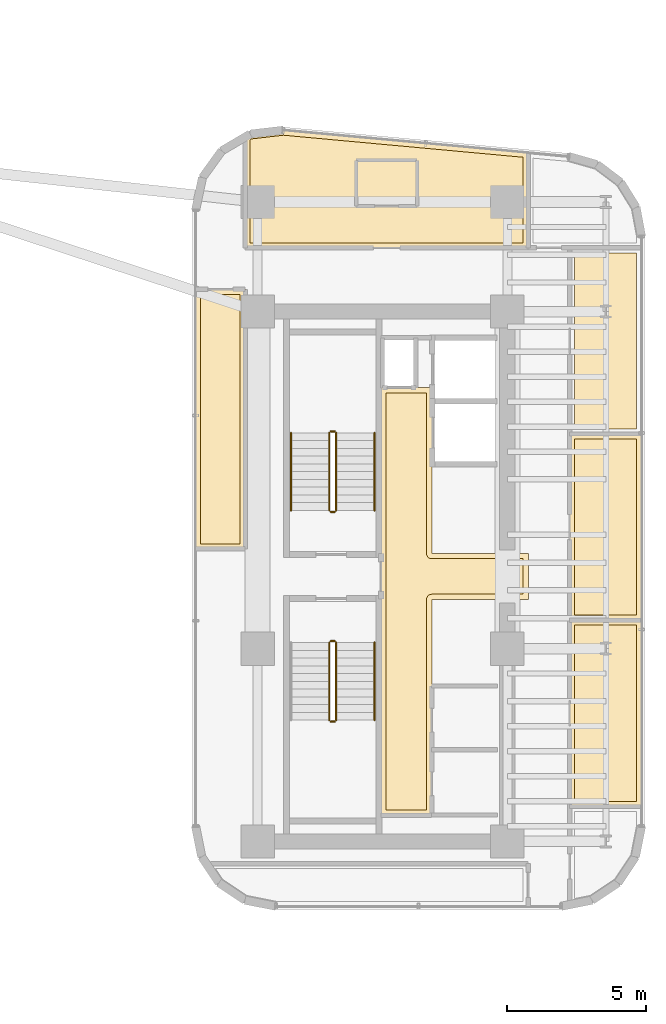
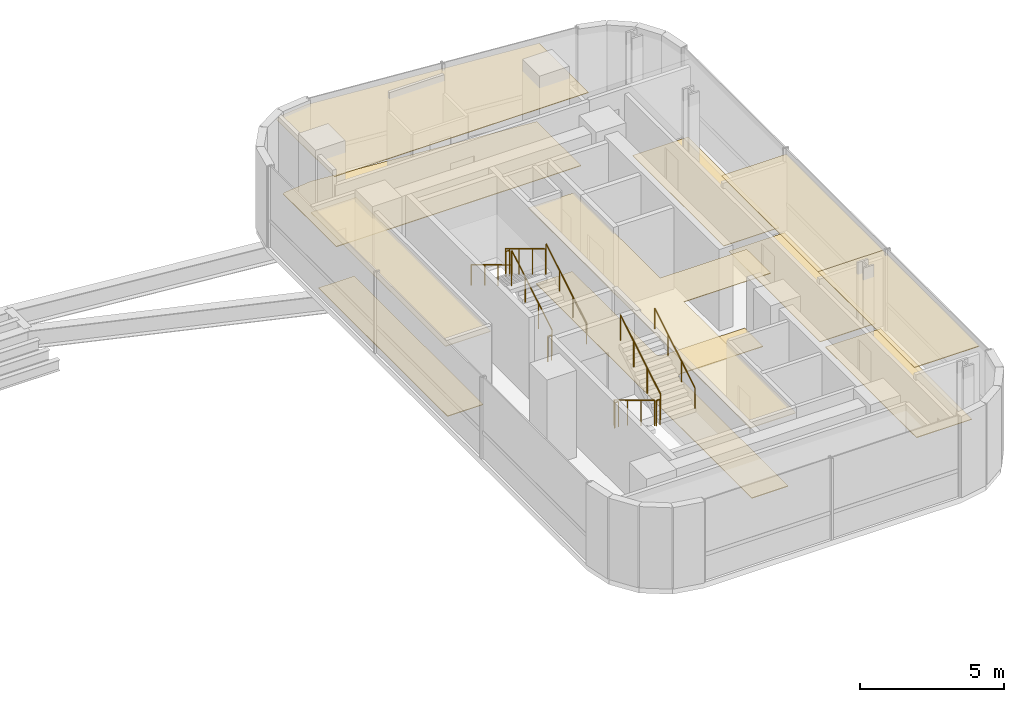
# One storey, part 35 of 36: 11 coverings, 11 railings.
"""IFC4 building model written with IfcOpenShell, lengths in metres."""

from ifc_helpers import new_model, si_unit, direction, frame, origin, origin_2d, place, context, subcontext, project, spatial, polyline, circle, outline, extrude, material, layer, layer_set, type_object, element, save


model = new_model("IFC4")

# Units and contexts
model_context = context("Model", 3, precision=1e-05, world=origin(), true_north=direction((0.0, 1.0)))
body_context = subcontext(model_context, "Body", "Model", "MODEL_VIEW")
ifc_project = project(units=[si_unit("LENGTHUNIT", "METRE"), si_unit("AREAUNIT", "SQUARE_METRE"), si_unit("VOLUMEUNIT", "CUBIC_METRE"), si_unit("PLANEANGLEUNIT", "RADIAN"), si_unit("MASSUNIT", "GRAM", prefix="KILO")], contexts=[model_context])

# Site, building, storey
site_placement = place(None, origin())
site = spatial("IfcSite", under=ifc_project, at=site_placement, CompositionType="ELEMENT")
building_placement = place(site_placement, origin())
building = spatial("IfcBuilding", under=site, at=building_placement, Name="Valdorenza Pilgrim Sanctuary Tower", CompositionType="ELEMENT")
storey_placement = place(building_placement, frame((0.0, 0.0, 153.800048828125)))
storey = spatial("IfcBuildingStorey", under=building, at=storey_placement, Name="L39", CompositionType="ELEMENT", Elevation=153.800048828125)

# Coverings
ifc_material_1 = material(Name="Micro-perforated acoustic mineral ceiling tile", Category="gypsum")
ifc_layer_1 = layer(ifc_material_1, 0.02490234375, Name="Micro-perforated acoustic mineral ceiling tile")
ifc_layer_set_1 = layer_set([ifc_layer_1], Name="Micro-perforated acoustic mineral ceiling tile")
covering_type_1 = type_object("IfcCoveringType", Name="COV-CLG-ACU", PredefinedType="CEILING", material=ifc_layer_set_1)
covering_1_placement = place(storey_placement, frame((0.0, 0.0, 3.159912109375)))
element("IfcCovering", 1, at=covering_1_placement, inside=storey, type_object=covering_type_1, Name="L39 Core B Passenger Lift Lobby Acoustic Ceiling", PredefinedType="CEILING", context=body_context, shape_type="SweptSolid", body=[
    extrude(outline(polyline([(20.287109375, -0.814697265625), (20.287109375, 0.814697265625), (20.28662109375, 0.815185546875), (20.2861328125, 0.81640625), (20.28564453125, 0.81787109375), (20.285400390625, 0.819091796875), (20.28515625, 0.820556640625), (20.284912109375, 0.822021484375), (20.284912109375, 6.800048828125), (20.28515625, 6.801513671875), (20.285400390625, 6.802978515625), (20.28564453125, 6.804443359375), (20.2861328125, 6.8056640625), (20.286865234375, 6.80712890625), (20.28759765625, 6.808349609375), (20.288330078125, 6.8095703125), (20.289306640625, 6.810546875), (20.29052734375, 6.8115234375), (20.291748046875, 6.8125), (20.29296875, 6.813232421875), (20.294189453125, 6.81396484375), (20.295654296875, 6.814453125), (20.297119140625, 6.814697265625), (20.298583984375, 6.81494140625), (20.300048828125, 6.81494140625), (20.347900390625, 6.81494140625), (20.349365234375, 6.81494140625), (20.350830078125, 6.814697265625), (20.352294921875, 6.814453125), (20.353515625, 6.81396484375), (20.35498046875, 6.813232421875), (20.35546875, 6.81298828125), (21.544677734375, 6.81298828125), (21.545166015625, 6.813232421875), (21.54638671875, 6.81396484375), (21.5478515625, 6.814453125), (21.54931640625, 6.814697265625), (21.550537109375, 6.81494140625), (21.552001953125, 6.81494140625), (22.1201171875, 6.81494140625), (22.12158203125, 6.81494140625), (22.122802734375, 6.814697265625), (22.12451171875, 6.814453125), (22.125732421875, 6.81396484375), (22.127197265625, 6.813232421875), (22.12841796875, 6.8125), (22.12939453125, 6.8115234375), (22.130615234375, 6.810546875), (22.131591796875, 6.8095703125), (22.132568359375, 6.808349609375), (22.13330078125, 6.80712890625), (22.1337890625, 6.8056640625), (22.134521484375, 6.804443359375), (22.134765625, 6.802978515625), (22.135009765625, 6.801513671875), (22.135009765625, 6.800048828125), (22.135009765625, 0.8349609375), (25.60009765625, 0.8349609375), (25.6015625, 0.8349609375), (25.602783203125, 0.834716796875), (25.6044921875, 0.83447265625), (25.605712890625, 0.833984375), (25.607177734375, 0.833251953125), (25.6083984375, 0.83251953125), (25.609619140625, 0.83154296875), (25.610595703125, 0.83056640625), (25.611572265625, 0.82958984375), (25.612548828125, 0.828369140625), (25.61328125, 0.8271484375), (25.614013671875, 0.82568359375), (25.614501953125, 0.824462890625), (25.61474609375, 0.822998046875), (25.614990234375, 0.821533203125), (25.614990234375, 0.820068359375), (25.614990234375, -0.820068359375), (25.614990234375, -0.821533203125), (25.61474609375, -0.822998046875), (25.614501953125, -0.824462890625), (25.614013671875, -0.82568359375), (25.61328125, -0.8271484375), (25.612548828125, -0.828369140625), (25.611572265625, -0.82958984375), (25.610595703125, -0.83056640625), (25.609619140625, -0.83154296875), (25.6083984375, -0.83251953125), (25.607177734375, -0.833251953125), (25.605712890625, -0.833984375), (25.6044921875, -0.83447265625), (25.602783203125, -0.834716796875), (25.6015625, -0.8349609375), (25.60009765625, -0.8349609375), (22.135009765625, -0.8349609375), (22.135009765625, -8.60009765625), (22.135009765625, -8.6015625), (22.134765625, -8.602783203125), (22.134521484375, -8.6044921875), (22.1337890625, -8.605712890625), (22.13330078125, -8.607177734375), (22.132568359375, -8.6083984375), (22.131591796875, -8.609619140625), (22.130615234375, -8.610595703125), (22.12939453125, -8.611572265625), (22.12841796875, -8.612548828125), (22.127197265625, -8.61328125), (22.125732421875, -8.614013671875), (22.12451171875, -8.614501953125), (22.122802734375, -8.61474609375), (22.12158203125, -8.614990234375), (22.1201171875, -8.614990234375), (20.300048828125, -8.614990234375), (20.298583984375, -8.614990234375), (20.297119140625, -8.61474609375), (20.295654296875, -8.614501953125), (20.294189453125, -8.614013671875), (20.29296875, -8.61328125), (20.291748046875, -8.612548828125), (20.29052734375, -8.611572265625), (20.289306640625, -8.610595703125), (20.288330078125, -8.609619140625), (20.28759765625, -8.6083984375), (20.286865234375, -8.607177734375), (20.2861328125, -8.605712890625), (20.28564453125, -8.6044921875), (20.285400390625, -8.602783203125), (20.28515625, -8.6015625), (20.284912109375, -8.60009765625), (20.284912109375, -0.822021484375), (20.28515625, -0.820556640625), (20.285400390625, -0.819091796875), (20.28564453125, -0.81787109375), (20.2861328125, -0.81640625), (20.28662109375, -0.815185546875), (20.287109375, -0.814697265625)])), origin(), (0.0, 0.0, 1.0), 0.025146484375),
])
covering_2_placement = place(storey_placement, frame((0.0, 0.0, 3.159912109375)))
element("IfcCovering", 2, at=covering_2_placement, inside=storey, type_object=covering_type_1, Name="L39 East North Guest Room L39-EN1 Acoustic Ceiling", PredefinedType="CEILING", context=body_context, shape_type="SweptSolid", body=[
    extrude(outline(polyline([(15.573486328125, 15.961669921875), (15.574951171875, 15.96240234375), (15.576416015625, 15.962890625), (15.577880859375, 15.96337890625), (15.579345703125, 15.963623046875), (16.7744140625, 16.102783203125), (16.776123046875, 16.10302734375), (16.7763671875, 16.10302734375), (16.777587890625, 16.102783203125), (25.601318359375, 15.291015625), (25.602783203125, 15.290771484375), (25.604248046875, 15.290283203125), (25.605712890625, 15.289794921875), (25.60693359375, 15.289306640625), (25.6083984375, 15.28857421875), (25.609619140625, 15.28759765625), (25.610595703125, 15.28662109375), (25.611572265625, 15.28564453125), (25.612548828125, 15.284423828125), (25.61328125, 15.283203125), (25.61376953125, 15.28173828125), (25.6142578125, 15.280517578125), (25.61474609375, 15.279052734375), (25.614990234375, 15.277587890625), (25.614990234375, 15.276123046875), (25.614990234375, 11.85009765625), (25.614990234375, 11.848388671875), (25.61474609375, 11.84716796875), (25.614501953125, 11.845703125), (25.614013671875, 11.84423828125), (25.61328125, 11.843017578125), (25.612548828125, 11.841796875), (25.611572265625, 11.840576171875), (25.610595703125, 11.83935546875), (25.609619140625, 11.83837890625), (25.6083984375, 11.83740234375), (25.607177734375, 11.8369140625), (25.605712890625, 11.836181640625), (25.6044921875, 11.835693359375), (25.602783203125, 11.835205078125), (25.6015625, 11.835205078125), (25.60009765625, 11.8349609375), (15.39990234375, 11.8349609375), (15.3984375, 11.835205078125), (15.397216796875, 11.835205078125), (15.3955078125, 11.835693359375), (15.394287109375, 11.836181640625), (15.392822265625, 11.8369140625), (15.3916015625, 11.83740234375), (15.390380859375, 11.83837890625), (15.389404296875, 11.83935546875), (15.388427734375, 11.840576171875), (15.387451171875, 11.841796875), (15.38671875, 11.843017578125), (15.385986328125, 11.84423828125), (15.385498046875, 11.845703125), (15.38525390625, 11.84716796875), (15.385009765625, 11.848388671875), (15.385009765625, 11.85009765625), (15.385009765625, 15.84228515625), (15.385009765625, 15.843505859375), (15.38525390625, 15.844970703125), (15.385498046875, 15.846435546875), (15.385986328125, 15.84765625), (15.38671875, 15.84912109375), (15.38720703125, 15.850341796875), (15.38818359375, 15.851318359375), (15.38916015625, 15.8525390625), (15.39013671875, 15.853515625), (15.39111328125, 15.8544921875), (15.392333984375, 15.85498046875), (15.573486328125, 15.961669921875)])), origin(), (0.0, 0.0, 1.0), 0.025146484375),
])
covering_3_placement = place(storey_placement, frame((0.0, 0.0, 3.159912109375)))
element("IfcCovering", 3, at=covering_3_placement, inside=storey, type_object=covering_type_1, Name="L39 East Sanctuary Scholar Office L39-EG2 Acoustic Ceiling", PredefinedType="CEILING", context=body_context, shape_type="SweptSolid", body=[
    extrude(outline(polyline([(27.0849609375, -1.574951171875), (27.085205078125, -1.573486328125), (27.085205078125, -1.572021484375), (27.085693359375, -1.570556640625), (27.086181640625, -1.5693359375), (27.0869140625, -1.56787109375), (27.08740234375, -1.566650390625), (27.08837890625, -1.5654296875), (27.08935546875, -1.564453125), (27.090576171875, -1.5634765625), (27.091796875, -1.5625), (27.093017578125, -1.561767578125), (27.09423828125, -1.56103515625), (27.095703125, -1.560546875), (27.09716796875, -1.560302734375), (27.098388671875, -1.56005859375), (27.10009765625, -1.56005859375), (29.68994140625, -1.56005859375), (29.69140625, -1.56005859375), (29.69287109375, -1.560302734375), (29.6943359375, -1.560546875), (29.69580078125, -1.56103515625), (29.697021484375, -1.561767578125), (29.6982421875, -1.5625), (29.699462890625, -1.5634765625), (29.70068359375, -1.564453125), (29.70166015625, -1.5654296875), (29.702392578125, -1.566650390625), (29.703125, -1.56787109375), (29.703857421875, -1.5693359375), (29.704345703125, -1.570556640625), (29.70458984375, -1.572021484375), (29.704833984375, -1.573486328125), (29.705078125, -1.574951171875), (29.705078125, -8.284912109375), (29.704833984375, -8.28662109375), (29.70458984375, -8.287841796875), (29.704345703125, -8.289306640625), (29.703857421875, -8.290771484375), (29.703125, -8.2919921875), (29.702392578125, -8.293212890625), (29.70166015625, -8.29443359375), (29.70068359375, -8.295654296875), (29.699462890625, -8.296630859375), (29.6982421875, -8.297607421875), (29.697021484375, -8.298095703125), (29.69580078125, -8.298828125), (29.6943359375, -8.29931640625), (29.69287109375, -8.2998046875), (29.69140625, -8.2998046875), (29.68994140625, -8.300048828125), (27.10009765625, -8.300048828125), (27.098388671875, -8.2998046875), (27.09716796875, -8.2998046875), (27.095703125, -8.29931640625), (27.09423828125, -8.298828125), (27.093017578125, -8.298095703125), (27.091796875, -8.297607421875), (27.090576171875, -8.296630859375), (27.08935546875, -8.295654296875), (27.08837890625, -8.29443359375), (27.08740234375, -8.293212890625), (27.0869140625, -8.2919921875), (27.086181640625, -8.290771484375), (27.085693359375, -8.289306640625), (27.085205078125, -8.287841796875), (27.085205078125, -8.28662109375), (27.0849609375, -8.284912109375), (27.0849609375, -1.574951171875)])), origin(), (0.0, 0.0, 1.0), 0.025146484375),
])
covering_4_placement = place(storey_placement, frame((0.0, 0.0, 3.159912109375)))
element("IfcCovering", 4, at=covering_4_placement, inside=storey, type_object=covering_type_1, Name="L39 East Sanctuary Scholar Office L39-EG3 Acoustic Ceiling", PredefinedType="CEILING", context=body_context, shape_type="SweptSolid", body=[
    extrude(outline(polyline([(27.0849609375, 5.137939453125), (27.085205078125, 5.139404296875), (27.085205078125, 5.140869140625), (27.085693359375, 5.142333984375), (27.086181640625, 5.143798828125), (27.0869140625, 5.14501953125), (27.08740234375, 5.146240234375), (27.08837890625, 5.1474609375), (27.08935546875, 5.148681640625), (27.090576171875, 5.149658203125), (27.091796875, 5.150390625), (27.093017578125, 5.151123046875), (27.09423828125, 5.15185546875), (27.095703125, 5.15234375), (27.09716796875, 5.152587890625), (27.098388671875, 5.15283203125), (27.10009765625, 5.153076171875), (29.68994140625, 5.153076171875), (29.69140625, 5.15283203125), (29.69287109375, 5.152587890625), (29.6943359375, 5.15234375), (29.69580078125, 5.15185546875), (29.697021484375, 5.151123046875), (29.6982421875, 5.150390625), (29.699462890625, 5.149658203125), (29.70068359375, 5.148681640625), (29.70166015625, 5.1474609375), (29.702392578125, 5.146240234375), (29.703125, 5.14501953125), (29.703857421875, 5.143798828125), (29.704345703125, 5.142333984375), (29.70458984375, 5.140869140625), (29.704833984375, 5.139404296875), (29.705078125, 5.137939453125), (29.705078125, -1.572998046875), (29.704833984375, -1.574462890625), (29.70458984375, -1.575927734375), (29.704345703125, -1.577392578125), (29.703857421875, -1.57861328125), (29.703125, -1.580078125), (29.702392578125, -1.581298828125), (29.70166015625, -1.58251953125), (29.70068359375, -1.58349609375), (29.699462890625, -1.584716796875), (29.6982421875, -1.58544921875), (29.697021484375, -1.586181640625), (29.69580078125, -1.5869140625), (29.6943359375, -1.58740234375), (29.69287109375, -1.587646484375), (29.69140625, -1.587890625), (29.68994140625, -1.587890625), (27.10009765625, -1.587890625), (27.098388671875, -1.587890625), (27.09716796875, -1.587646484375), (27.095703125, -1.58740234375), (27.09423828125, -1.5869140625), (27.093017578125, -1.586181640625), (27.091796875, -1.58544921875), (27.090576171875, -1.584716796875), (27.08935546875, -1.58349609375), (27.08837890625, -1.58251953125), (27.08740234375, -1.581298828125), (27.0869140625, -1.580078125), (27.086181640625, -1.57861328125), (27.085693359375, -1.577392578125), (27.085205078125, -1.575927734375), (27.085205078125, -1.574462890625), (27.0849609375, -1.572998046875), (27.0849609375, 5.137939453125)])), origin(), (0.0, 0.0, 1.0), 0.025146484375),
])
covering_5_placement = place(storey_placement, frame((0.0, 0.0, 3.159912109375)))
element("IfcCovering", 5, at=covering_5_placement, inside=storey, type_object=covering_type_1, Name="L39 Courtyard Overlook Salon L39 Acoustic Ceiling", PredefinedType="CEILING", context=body_context, shape_type="SweptSolid", body=[
    extrude(outline(polyline([(15.4150390625, 1.0), (15.414794921875, 0.99853515625), (15.414794921875, 0.9970703125), (15.414306640625, 0.99560546875), (15.413818359375, 0.994384765625), (15.4130859375, 0.992919921875), (15.41259765625, 0.99169921875), (15.41162109375, 0.990478515625), (15.41064453125, 0.989501953125), (15.409423828125, 0.98828125), (15.408203125, 0.987548828125), (15.406982421875, 0.98681640625), (15.40576171875, 0.986083984375), (15.404296875, 0.985595703125), (15.40283203125, 0.9853515625), (15.401611328125, 0.985107421875), (15.39990234375, 0.985107421875), (13.610107421875, 0.985107421875), (13.6083984375, 0.985107421875), (13.607177734375, 0.9853515625), (13.605712890625, 0.985595703125), (13.604248046875, 0.986083984375), (13.602783203125, 0.98681640625), (13.601806640625, 0.987548828125), (13.6005859375, 0.98828125), (13.599365234375, 0.989501953125), (13.598388671875, 0.990478515625), (13.597412109375, 0.99169921875), (13.5966796875, 0.992919921875), (13.59619140625, 0.994384765625), (13.595703125, 0.99560546875), (13.59521484375, 0.9970703125), (13.59521484375, 0.99853515625), (13.594970703125, 1.0), (13.594970703125, 10.35009765625), (13.59521484375, 10.3515625), (13.59521484375, 10.352783203125), (13.595703125, 10.3544921875), (13.59619140625, 10.355712890625), (13.5966796875, 10.357177734375), (13.597412109375, 10.3583984375), (13.598388671875, 10.359619140625), (13.599365234375, 10.360595703125), (13.6005859375, 10.361572265625), (13.601806640625, 10.362548828125), (13.602783203125, 10.36328125), (13.604248046875, 10.364013671875), (13.605712890625, 10.364501953125), (13.607177734375, 10.36474609375), (13.6083984375, 10.364990234375), (13.610107421875, 10.364990234375), (15.39990234375, 10.364990234375), (15.401611328125, 10.364990234375), (15.40283203125, 10.36474609375), (15.404296875, 10.364501953125), (15.40576171875, 10.364013671875), (15.406982421875, 10.36328125), (15.408203125, 10.362548828125), (15.409423828125, 10.361572265625), (15.41064453125, 10.360595703125), (15.41162109375, 10.359619140625), (15.41259765625, 10.3583984375), (15.4130859375, 10.357177734375), (15.413818359375, 10.355712890625), (15.414306640625, 10.3544921875), (15.414794921875, 10.352783203125), (15.414794921875, 10.3515625), (15.4150390625, 10.35009765625), (15.4150390625, 1.0)])), origin(), (0.0, 0.0, 1.0), 0.025146484375),
])
ifc_material_2 = material(Name="Engineered European oak timber flooring", Category="wood")
ifc_layer_2 = layer(ifc_material_2, 0.02197265625, Name="Engineered European oak timber flooring")
ifc_layer_set_2 = layer_set([ifc_layer_2], Name="Engineered European oak timber flooring")
covering_type_2 = type_object("IfcCoveringType", Name="COV-FLR-OAK", PredefinedType="FLOORING", material=ifc_layer_set_2)
covering_6_placement = place(storey_placement, origin())
element("IfcCovering", 6, at=covering_6_placement, inside=storey, type_object=covering_type_2, Name="L39 East North Guest Room L39-EN1 Flooring", PredefinedType="FLOORING", context=body_context, shape_type="SweptSolid", body=[
    extrude(outline(polyline([(15.6396484375, 15.7744140625), (16.7783203125, 15.906982421875), (25.419921875, 15.11181640625), (25.419921875, 12.030029296875), (15.580078125, 12.030029296875), (15.580078125, 15.7392578125), (15.6396484375, 15.7744140625)])), origin(), (0.0, 0.0, 1.0), 0.02490234375),
])
ifc_material_3 = material(Name="Honed travertine stone flooring", Category="masonry")
ifc_layer_3 = layer(ifc_material_3, 0.030029296875, Name="Honed travertine stone flooring")
ifc_layer_set_3 = layer_set([ifc_layer_3], Name="Honed travertine stone flooring")
covering_type_3 = type_object("IfcCoveringType", Name="COV-FLR-TRV", PredefinedType="FLOORING", material=ifc_layer_set_3)
covering_7_placement = place(storey_placement, origin())
element("IfcCovering", 7, at=covering_7_placement, inside=storey, type_object=covering_type_3, Name="L39 Core B Passenger Lift Lobby Flooring", PredefinedType="FLOORING", context=body_context, shape_type="SweptSolid", body=[
    extrude(outline(polyline([(20.47998046875, 6.617919921875), (21.550048828125, 6.617919921875), (21.550537109375, 6.617919921875), (21.93994140625, 6.619384765625), (21.93994140625, 0.820068359375), (21.94091796875, 0.802490234375), (21.943603515625, 0.784912109375), (21.94775390625, 0.767578125), (21.95361328125, 0.751220703125), (21.961181640625, 0.735107421875), (21.97021484375, 0.719970703125), (21.98095703125, 0.705810546875), (21.99267578125, 0.692626953125), (22.005859375, 0.680908203125), (22.02001953125, 0.67041015625), (22.03515625, 0.661376953125), (22.051025390625, 0.65380859375), (22.067626953125, 0.647705078125), (22.0849609375, 0.6435546875), (22.102294921875, 0.640869140625), (22.1201171875, 0.639892578125), (25.419921875, 0.639892578125), (25.419921875, -0.639892578125), (22.1201171875, -0.639892578125), (22.102294921875, -0.640869140625), (22.0849609375, -0.6435546875), (22.067626953125, -0.647705078125), (22.051025390625, -0.65380859375), (22.03515625, -0.661376953125), (22.02001953125, -0.67041015625), (22.005859375, -0.680908203125), (21.99267578125, -0.692626953125), (21.98095703125, -0.705810546875), (21.97021484375, -0.719970703125), (21.961181640625, -0.735107421875), (21.95361328125, -0.751220703125), (21.94775390625, -0.767578125), (21.943603515625, -0.784912109375), (21.94091796875, -0.802490234375), (21.93994140625, -0.820068359375), (21.93994140625, -8.419921875), (20.47998046875, -8.419921875), (20.47998046875, -0.846923828125), (20.47998046875, -0.8466796875), (20.47998046875, -0.8466796875), (20.481689453125, -0.8291015625), (20.481689453125, -0.828857421875), (20.48193359375, -0.820068359375), (20.48193359375, 0.820068359375), (20.47998046875, 6.617919921875)])), origin(), (0.0, 0.0, 1.0), 0.02490234375),
])
covering_8_placement = place(storey_placement, origin())
element("IfcCovering", 8, at=covering_8_placement, inside=storey, type_object=covering_type_3, Name="L39 East Sanctuary Scholar Office L39-EG2 Flooring", PredefinedType="FLOORING", context=body_context, shape_type="SweptSolid", body=[
    extrude(outline(polyline([(27.280029296875, -1.7548828125), (29.510009765625, -1.7548828125), (29.510009765625, -8.10498046875), (27.280029296875, -8.10498046875), (27.280029296875, -1.7548828125)])), origin(), (0.0, 0.0, 1.0), 0.02490234375),
])
covering_9_placement = place(storey_placement, origin())
element("IfcCovering", 9, at=covering_9_placement, inside=storey, type_object=covering_type_3, Name="L39 East Sanctuary Scholar Office L39-EG3 Flooring", PredefinedType="FLOORING", context=body_context, shape_type="SweptSolid", body=[
    extrude(outline(polyline([(27.280029296875, 4.9580078125), (29.510009765625, 4.9580078125), (29.510009765625, -1.39306640625), (27.280029296875, -1.39306640625), (27.280029296875, 4.9580078125)])), origin(), (0.0, 0.0, 1.0), 0.02490234375),
])
covering_10_placement = place(storey_placement, origin())
element("IfcCovering", 10, at=covering_10_placement, inside=storey, type_object=covering_type_3, Name="L39 East Sanctuary Scholar Office L39-EG4 Flooring", PredefinedType="FLOORING", context=body_context, shape_type="SweptSolid", body=[
    extrude(outline(polyline([(27.280029296875, 11.66796875), (29.510009765625, 11.66796875), (29.510009765625, 5.320068359375), (27.280029296875, 5.320068359375), (27.280029296875, 11.66796875)])), origin(), (0.0, 0.0, 1.0), 0.02490234375),
])
covering_11_placement = place(storey_placement, origin())
element("IfcCovering", 11, at=covering_11_placement, inside=storey, type_object=covering_type_3, Name="L39 Courtyard Overlook Salon L39 Flooring", PredefinedType="FLOORING", context=body_context, shape_type="SweptSolid", body=[
    extrude(outline(polyline([(15.219970703125, 1.179931640625), (13.7900390625, 1.179931640625), (13.7900390625, 10.169921875), (15.219970703125, 10.169921875), (15.219970703125, 1.179931640625)])), origin(), (0.0, 0.0, 1.0), 0.02490234375),
])

# Railings
ifc_material_4 = material(Name="Stainless steel Grade 316", Category="steel")
railing_type_1 = type_object("IfcRailingType", Name="RLG-GRD-1120", PredefinedType="GUARDRAIL", material=ifc_material_4)
railing_1_placement = place(storey_placement, frame((18.679931640625, 2.3798828125, 0.168212890625)))
element("IfcRailing", 12, at=railing_1_placement, inside=storey, type_object=railing_type_1, Name="L39 ST-B1 stair guard 1", PredefinedType="GUARDRAIL", context=body_context, shape_type="SweptSolid", body=[
    extrude(circle(Radius=0.02392578125, at=origin_2d()), frame((0.0, 0.0, 1.076171875), z_axis=(0.0, 0.857275202839, 0.514858452973), x_axis=(-1.0, 0.0, 0.0)), (0.0, 0.0, 1.0), 3.26611328125),
    extrude(circle(Radius=0.02099609375, at=origin_2d()), origin(), (0.0, 0.0, 1.0), 1.052001953125),
    extrude(circle(Radius=0.02099609375, at=origin_2d()), frame((0.0, 0.933349609375, 0.560546875)), (0.0, 0.0, 1.0), 1.052001953125),
    extrude(circle(Radius=0.02099609375, at=origin_2d()), frame((0.0, 1.86669921875, 1.12109375)), (0.0, 0.0, 1.0), 1.052001953125),
    extrude(circle(Radius=0.02099609375, at=origin_2d()), frame((0.0, 2.800048828125, 1.681640625)), (0.0, 0.0, 1.0), 1.052001953125),
])
railing_2_placement = place(storey_placement, frame((18.6298828125, 5.22998046875, 1.849853515625)))
element("IfcRailing", 13, at=railing_2_placement, inside=storey, type_object=railing_type_1, Name="L39 ST-B1 stair guard 2", PredefinedType="GUARDRAIL", context=body_context, shape_type="SweptSolid", body=[
    extrude(circle(Radius=0.02392578125, at=origin_2d()), frame((0.0, 0.0, 1.076171875), z_axis=(-1.0, 0.0, 0.0), x_axis=(0.0, -1.0, 0.0)), (0.0, 0.0, 1.0), 0.14990234375),
    extrude(circle(Radius=0.02099609375, at=origin_2d()), origin(), (0.0, 0.0, 1.0), 1.052001953125),
    extrude(circle(Radius=0.02099609375, at=origin_2d()), frame((-0.14990234375, 0.0, 0.0)), (0.0, 0.0, 1.0), 1.052001953125),
])
railing_3_placement = place(storey_placement, frame((18.429931640625, 5.179931640625, 2.01806640625)))
element("IfcRailing", 14, at=railing_3_placement, inside=storey, type_object=railing_type_1, Name="L39 ST-B1 stair guard 3", PredefinedType="GUARDRAIL", context=body_context, shape_type="SweptSolid", body=[
    extrude(circle(Radius=0.02392578125, at=origin_2d()), frame((0.0, 0.0, 1.076171875), z_axis=(0.0, -0.857242210791, 0.514913383045), x_axis=(1.0, 0.0, 0.0)), (0.0, 0.0, 1.0), 3.266357421875),
    extrude(circle(Radius=0.02099609375, at=origin_2d()), origin(), (0.0, 0.0, 1.0), 1.052001953125),
    extrude(circle(Radius=0.02099609375, at=origin_2d()), frame((0.0, -0.933349609375, 0.560546875)), (0.0, 0.0, 1.0), 1.052001953125),
    extrude(circle(Radius=0.02099609375, at=origin_2d()), frame((0.0, -1.86669921875, 1.121337890625)), (0.0, 0.0, 1.0), 1.052001953125),
    extrude(circle(Radius=0.02099609375, at=origin_2d()), frame((0.0, -2.800048828125, 1.681884765625)), (0.0, 0.0, 1.0), 1.052001953125),
])
railing_4_placement = place(storey_placement, frame((18.6298828125, 2.330078125, 0.0)))
element("IfcRailing", 15, at=railing_4_placement, inside=storey, type_object=railing_type_1, Name="L39 ST-B1 stair guard 4", PredefinedType="GUARDRAIL", context=body_context, shape_type="SweptSolid", body=[
    extrude(circle(Radius=0.02392578125, at=origin_2d()), frame((0.0, 0.0, 1.076171875), z_axis=(-1.0, 0.0, 0.0), x_axis=(0.0, -1.0, 0.0)), (0.0, 0.0, 1.0), 0.14990234375),
    extrude(circle(Radius=0.02099609375, at=origin_2d()), origin(), (0.0, 0.0, 1.0), 1.052001953125),
    extrude(circle(Radius=0.02099609375, at=origin_2d()), frame((-0.14990234375, 0.0, 0.0)), (0.0, 0.0, 1.0), 1.052001953125),
])
railing_5_placement = place(storey_placement, frame((18.429931640625, -2.3798828125, 0.168212890625)))
element("IfcRailing", 16, at=railing_5_placement, inside=storey, type_object=railing_type_1, Name="L39 ST-B2 stair guard 1", PredefinedType="GUARDRAIL", context=body_context, shape_type="SweptSolid", body=[
    extrude(circle(Radius=0.02392578125, at=origin_2d()), frame((0.0, 0.0, 1.076171875), z_axis=(0.0, -0.857275202839, 0.514858452973), x_axis=(1.0, 0.0, 0.0)), (0.0, 0.0, 1.0), 3.26611328125),
    extrude(circle(Radius=0.02099609375, at=origin_2d()), origin(), (0.0, 0.0, 1.0), 1.052001953125),
    extrude(circle(Radius=0.02099609375, at=origin_2d()), frame((0.0, -0.933349609375, 0.560546875)), (0.0, 0.0, 1.0), 1.052001953125),
    extrude(circle(Radius=0.02099609375, at=origin_2d()), frame((0.0, -1.86669921875, 1.12109375)), (0.0, 0.0, 1.0), 1.052001953125),
    extrude(circle(Radius=0.02099609375, at=origin_2d()), frame((0.0, -2.800048828125, 1.681640625)), (0.0, 0.0, 1.0), 1.052001953125),
])
railing_6_placement = place(storey_placement, frame((18.47998046875, -5.22998046875, 1.849853515625)))
element("IfcRailing", 17, at=railing_6_placement, inside=storey, type_object=railing_type_1, Name="L39 ST-B2 stair guard 2", PredefinedType="GUARDRAIL", context=body_context, shape_type="SweptSolid", body=[
    extrude(circle(Radius=0.02392578125, at=origin_2d()), frame((0.0, 0.0, 1.076171875), z_axis=(1.0, 0.0, 0.0), x_axis=(0.0, 1.0, 0.0)), (0.0, 0.0, 1.0), 0.14990234375),
    extrude(circle(Radius=0.02099609375, at=origin_2d()), origin(), (0.0, 0.0, 1.0), 1.052001953125),
    extrude(circle(Radius=0.02099609375, at=origin_2d()), frame((0.14990234375, 0.0, 0.0)), (0.0, 0.0, 1.0), 1.052001953125),
])
railing_7_placement = place(storey_placement, frame((18.679931640625, -5.179931640625, 2.01806640625)))
element("IfcRailing", 18, at=railing_7_placement, inside=storey, type_object=railing_type_1, Name="L39 ST-B2 stair guard 3", PredefinedType="GUARDRAIL", context=body_context, shape_type="SweptSolid", body=[
    extrude(circle(Radius=0.02392578125, at=origin_2d()), frame((0.0, 0.0, 1.076171875), z_axis=(0.0, 0.857242210791, 0.514913383045), x_axis=(-1.0, 0.0, 0.0)), (0.0, 0.0, 1.0), 3.266357421875),
    extrude(circle(Radius=0.02099609375, at=origin_2d()), origin(), (0.0, 0.0, 1.0), 1.052001953125),
    extrude(circle(Radius=0.02099609375, at=origin_2d()), frame((0.0, 0.933349609375, 0.560546875)), (0.0, 0.0, 1.0), 1.052001953125),
    extrude(circle(Radius=0.02099609375, at=origin_2d()), frame((0.0, 1.86669921875, 1.121337890625)), (0.0, 0.0, 1.0), 1.052001953125),
    extrude(circle(Radius=0.02099609375, at=origin_2d()), frame((0.0, 2.800048828125, 1.681884765625)), (0.0, 0.0, 1.0), 1.052001953125),
])
railing_8_placement = place(storey_placement, frame((18.47998046875, -2.330078125, 0.0)))
element("IfcRailing", 19, at=railing_8_placement, inside=storey, type_object=railing_type_1, Name="L39 ST-B2 stair guard 4", PredefinedType="GUARDRAIL", context=body_context, shape_type="SweptSolid", body=[
    extrude(circle(Radius=0.02392578125, at=origin_2d()), frame((0.0, 0.0, 1.076171875), z_axis=(1.0, 0.0, 0.0), x_axis=(0.0, 1.0, 0.0)), (0.0, 0.0, 1.0), 0.14990234375),
    extrude(circle(Radius=0.02099609375, at=origin_2d()), origin(), (0.0, 0.0, 1.0), 1.052001953125),
    extrude(circle(Radius=0.02099609375, at=origin_2d()), frame((0.14990234375, 0.0, 0.0)), (0.0, 0.0, 1.0), 1.052001953125),
])
ifc_material_5 = material(Name="Brushed stainless steel Grade 316", Category="steel")
railing_type_2 = type_object("IfcRailingType", Name="RLG-HND-920", PredefinedType="HANDRAIL", material=ifc_material_5)
railing_9_placement = place(storey_placement, frame((20.06005859375, 2.3798828125, 0.168212890625)))
element("IfcRailing", 20, at=railing_9_placement, inside=storey, type_object=railing_type_2, Name="L39 ST-B1 stair handrail 1", PredefinedType="HANDRAIL", context=body_context, shape_type="SweptSolid", body=[
    extrude(circle(Radius=0.02392578125, at=origin_2d()), frame((0.0, 0.0, 0.8759765625), z_axis=(0.0, 0.857275202839, 0.514858452973), x_axis=(-1.0, 0.0, 0.0)), (0.0, 0.0, 1.0), 3.26611328125),
    extrude(circle(Radius=0.02099609375, at=origin_2d()), origin(), (0.0, 0.0, 1.0), 0.851806640625),
    extrude(circle(Radius=0.02099609375, at=origin_2d()), frame((0.0, 0.933349609375, 0.560546875)), (0.0, 0.0, 1.0), 0.851806640625),
    extrude(circle(Radius=0.02099609375, at=origin_2d()), frame((0.0, 1.86669921875, 1.12109375)), (0.0, 0.0, 1.0), 0.851806640625),
    extrude(circle(Radius=0.02099609375, at=origin_2d()), frame((0.0, 2.800048828125, 1.681640625)), (0.0, 0.0, 1.0), 0.851806640625),
])
railing_10_placement = place(storey_placement, frame((17.050048828125, 5.179931640625, 2.01806640625)))
element("IfcRailing", 21, at=railing_10_placement, inside=storey, type_object=railing_type_2, Name="L39 ST-B1 stair handrail 2", PredefinedType="HANDRAIL", context=body_context, shape_type="SweptSolid", body=[
    extrude(circle(Radius=0.02392578125, at=origin_2d()), frame((0.0, 0.0, 0.8759765625), z_axis=(0.0, -0.857242210791, 0.514913383045), x_axis=(1.0, 0.0, 0.0)), (0.0, 0.0, 1.0), 3.266357421875),
    extrude(circle(Radius=0.02099609375, at=origin_2d()), origin(), (0.0, 0.0, 1.0), 0.851806640625),
    extrude(circle(Radius=0.02099609375, at=origin_2d()), frame((0.0, -0.933349609375, 0.560546875)), (0.0, 0.0, 1.0), 0.851806640625),
    extrude(circle(Radius=0.02099609375, at=origin_2d()), frame((0.0, -1.86669921875, 1.121337890625)), (0.0, 0.0, 1.0), 0.851806640625),
    extrude(circle(Radius=0.02099609375, at=origin_2d()), frame((0.0, -2.800048828125, 1.681884765625)), (0.0, 0.0, 1.0), 0.851806640625),
])
railing_11_placement = place(storey_placement, frame((20.06005859375, -5.179931640625, 2.01806640625)))
element("IfcRailing", 22, at=railing_11_placement, inside=storey, type_object=railing_type_2, Name="L39 ST-B2 stair handrail 2", PredefinedType="HANDRAIL", context=body_context, shape_type="SweptSolid", body=[
    extrude(circle(Radius=0.02392578125, at=origin_2d()), frame((0.0, 0.0, 0.8759765625), z_axis=(0.0, 0.857242210791, 0.514913383045), x_axis=(-1.0, 0.0, 0.0)), (0.0, 0.0, 1.0), 3.266357421875),
    extrude(circle(Radius=0.02099609375, at=origin_2d()), origin(), (0.0, 0.0, 1.0), 0.851806640625),
    extrude(circle(Radius=0.02099609375, at=origin_2d()), frame((0.0, 0.933349609375, 0.560546875)), (0.0, 0.0, 1.0), 0.851806640625),
    extrude(circle(Radius=0.02099609375, at=origin_2d()), frame((0.0, 1.86669921875, 1.121337890625)), (0.0, 0.0, 1.0), 0.851806640625),
    extrude(circle(Radius=0.02099609375, at=origin_2d()), frame((0.0, 2.800048828125, 1.681884765625)), (0.0, 0.0, 1.0), 0.851806640625),
])

save(model, "model.ifc")
